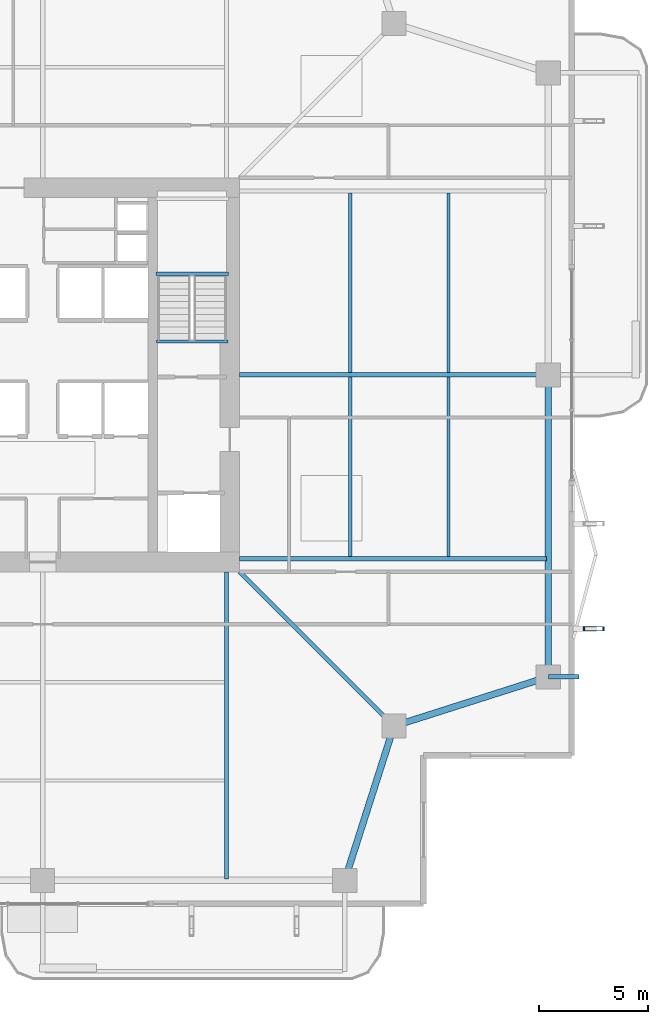
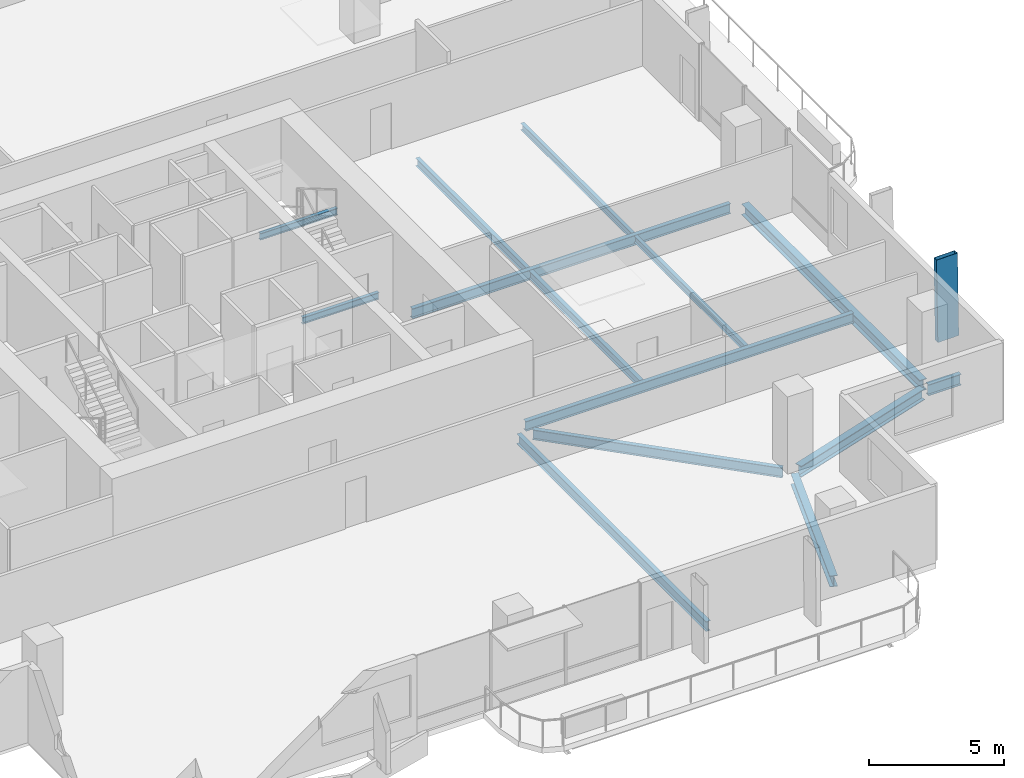
# One storey, part 9 of 25: 14 beams, 1 member.
"""IFC4 building model written with IfcOpenShell, lengths in metres."""

from ifc_helpers import new_model, si_unit, direction, frame, origin, origin_2d, place, context, subcontext, project, spatial, hollow_rectangle, i_section, extrude, material, material_profile, profile_set, type_object, element, save


model = new_model("IFC4")

# Units and contexts
model_context = context("Model", 3, precision=1e-05, world=origin(), true_north=direction((0.0, 1.0)))
body_context = subcontext(model_context, "Body", "Model", "MODEL_VIEW")
ifc_project = project(units=[si_unit("LENGTHUNIT", "METRE"), si_unit("AREAUNIT", "SQUARE_METRE"), si_unit("VOLUMEUNIT", "CUBIC_METRE"), si_unit("PLANEANGLEUNIT", "RADIAN"), si_unit("MASSUNIT", "GRAM", prefix="KILO")], contexts=[model_context])

# Site, building, storey
site_placement = place(None, origin())
site = spatial("IfcSite", under=ifc_project, at=site_placement, CompositionType="ELEMENT")
building_placement = place(site_placement, origin())
building = spatial("IfcBuilding", under=site, at=building_placement, Name="Belovzor Exchange Tower", CompositionType="ELEMENT")
storey_placement = place(building_placement, frame((0.0, 0.0, 175.800048828125)))
storey = spatial("IfcBuildingStorey", under=building, at=storey_placement, Name="L43", CompositionType="ELEMENT", Elevation=175.800048828125)

# Beams
ifc_material_1 = material(Name="Steel S355", Category="steel")
ifc_material_profile_1 = material_profile(ifc_material_1, i_section(OverallWidth=0.199951171875, OverallDepth=0.5, WebThickness=0.01025390625, FlangeThickness=0.01611328125, at=origin_2d()))
ifc_profile_set_1 = profile_set([ifc_material_profile_1], Name="Steel S355")
beam_type_1 = type_object("IfcBeamType", Name="Planted Balcony Cantilever Beam IPE 500", PredefinedType="BEAM", material=ifc_profile_set_1)
beam_1_placement = place(storey_placement, frame((51.89990234375, 15.0, -0.505126953125), z_axis=(1.0, 0.0, 0.0), x_axis=(0.0, 1.0, 0.0)))
element("IfcBeam", 1, at=beam_1_placement, inside=storey, type_object=beam_type_1, Name="BC-500 Planted Balcony Cantilever Beam IPE 500", PredefinedType="BEAM", context=body_context, shape_type="SweptSolid", body=[
    extrude(i_section(OverallWidth=0.199951171875, OverallDepth=0.5, WebThickness=0.01025390625, FlangeThickness=0.01611328125, at=origin_2d()), origin(), (0.0, 0.0, 1.0), 1.400146484375),
])
ifc_material_2 = material(Name="Steel S355", Category="steel")
ifc_material_profile_2 = material_profile(ifc_material_2, i_section(OverallWidth=0.169921875, OverallDepth=0.360107421875, WebThickness=0.008056640625, FlangeThickness=0.0126953125, at=origin_2d()))
ifc_profile_set_2 = profile_set([ifc_material_profile_2], Name="Steel S355")
beam_type_2 = type_object("IfcBeamType", Name="Secondary Infill Floor Joist IPE 360", PredefinedType="BEAM", material=ifc_profile_set_2)
for number, where, z_axis, x_axis, name in (
    (2, (42.84912109375, 20.4951171875, -0.43505859375), (0.0, 1.0, 0.0), (-1.0, 0.0, 0.0), "FJ-360 Secondary Infill Floor Joist IPE 360"),
    (3, (42.84912109375, 28.89501953125, -0.43505859375), (0.0, 1.0, 0.0), (-1.0, 0.0, 0.0), "FJ-360 Secondary Infill Floor Joist IPE 360"),
):
    element("IfcBeam", number, at=place(storey_placement, frame(where, z_axis=z_axis, x_axis=x_axis)), inside=storey, type_object=beam_type_2, Name=name, PredefinedType="BEAM", context=body_context, shape_type="SweptSolid", body=[
        extrude(i_section(OverallWidth=0.169921875, OverallDepth=0.360107421875, WebThickness=0.008056640625, FlangeThickness=0.0126953125, at=origin_2d()), origin(), (0.0, 0.0, 1.0), 8.2099609375),
    ])
ifc_material_3 = material(Name="Steel S355", Category="steel")
ifc_material_profile_3 = material_profile(ifc_material_3, i_section(OverallWidth=0.14990234375, OverallDepth=0.300048828125, WebThickness=0.007080078125, FlangeThickness=0.0107421875, at=origin_2d()))
ifc_profile_set_3 = profile_set([ifc_material_profile_3], Name="Steel S355")
beam_type_3 = type_object("IfcBeamType", Name="Secondary Trim Floor Joist IPE 300", PredefinedType="BEAM", material=ifc_profile_set_3)
beam_2_placement = place(storey_placement, frame((37.280029296875, 33.419921875, 1.52490234375), z_axis=(-1.0, 0.0, 0.0), x_axis=(0.0, -1.0, 0.0)))
element("IfcBeam", 4, at=beam_2_placement, inside=storey, type_object=beam_type_3, Name="FJ-300 Secondary Trim Floor Joist IPE 300", PredefinedType="BEAM", context=body_context, shape_type="SweptSolid", body=[
    extrude(i_section(OverallWidth=0.14990234375, OverallDepth=0.300048828125, WebThickness=0.007080078125, FlangeThickness=0.0107421875, at=origin_2d()), origin(), (0.0, 0.0, 1.0), 3.31005859375),
])
beam_3_placement = place(storey_placement, frame((37.260009765625, 30.320068359375, -0.405029296875), z_axis=(-1.0, 0.0, 0.0), x_axis=(0.0, -1.0, 0.0)))
element("IfcBeam", 5, at=beam_3_placement, inside=storey, type_object=beam_type_3, Name="FJ-300 Secondary Trim Floor Joist IPE 300", PredefinedType="BEAM", context=body_context, shape_type="SweptSolid", body=[
    extrude(i_section(OverallWidth=0.14990234375, OverallDepth=0.300048828125, WebThickness=0.007080078125, FlangeThickness=0.0107421875, at=origin_2d()), origin(), (0.0, 0.0, 1.0), 3.27001953125),
])
for number, where, z_axis, x_axis, name in (
    (6, (47.3369140625, 20.4951171875, -0.405029296875), (0.0, 1.0, 0.0), (-1.0, 0.0, 0.0), "FJ-300 Secondary Trim Floor Joist IPE 300"),
    (7, (47.3369140625, 28.89501953125, -0.405029296875), (0.0, 1.0, 0.0), (-1.0, 0.0, 0.0), "FJ-300 Secondary Trim Floor Joist IPE 300"),
):
    element("IfcBeam", number, at=place(storey_placement, frame(where, z_axis=z_axis, x_axis=x_axis)), inside=storey, type_object=beam_type_3, Name=name, PredefinedType="BEAM", context=body_context, shape_type="SweptSolid", body=[
        extrude(i_section(OverallWidth=0.14990234375, OverallDepth=0.300048828125, WebThickness=0.007080078125, FlangeThickness=0.0107421875, at=origin_2d()), origin(), (0.0, 0.0, 1.0), 8.2099609375),
    ])

# Member
ifc_material_4 = material(Name="Extruded Architectural Terracotta on Steel S355 Carrier", Category="masonry")
ifc_material_profile_4 = material_profile(ifc_material_4, hollow_rectangle(XDim=0.199951171875, YDim=0.89990234375, WallThickness=0.011962890625, at=origin_2d()))
ifc_profile_set_4 = profile_set([ifc_material_profile_4], Name="Extruded Architectural Terracotta on Steel S355 Carrier")
member_type = type_object("IfcMemberType", Name="Sweeping Terracotta Baguette Fin Assembly 1250", PredefinedType="USERDEFINED", material=ifc_profile_set_4)
member_placement = place(storey_placement, frame((54.010986328125, 17.199951171875, -0.255126953125), z_axis=(-0.01549293194, 0.0, 0.999879977327), x_axis=(0.0, -1.0, 0.0)))
element("IfcMember", 8, at=member_placement, inside=storey, type_object=member_type, Name="FIN-TC125 Terracotta Facade Fin L43 E1", ObjectType="FIN", PredefinedType="USERDEFINED", context=body_context, shape_type="SweptSolid", body=[
    extrude(hollow_rectangle(XDim=0.199951171875, YDim=0.89990234375, WallThickness=0.011962890625, at=origin_2d()), origin(), (0.0, 0.0, 1.0), 3.75048828125),
])

# Beams
ifc_material_5 = material(Name="Steel S355", Category="steel")
ifc_material_profile_5 = material_profile(ifc_material_5, i_section(OverallWidth=0.18994140625, OverallDepth=0.449951171875, WebThickness=0.009521484375, FlangeThickness=0.0146484375, at=origin_2d()))
ifc_profile_set_5 = profile_set([ifc_material_profile_5], Name="Steel S355")
beam_type_4 = type_object("IfcBeamType", Name="Zone 2-4 Radial Composite Floor Beam IPE 450", PredefinedType="BEAM", material=ifc_profile_set_5)
beam_4_placement = place(storey_placement, frame((37.199951171875, 19.800048828125, -0.47998046875), z_axis=(0.0, -1.0, 0.0), x_axis=(1.0, 0.0, 0.0)))
element("IfcBeam", 9, at=beam_4_placement, inside=storey, type_object=beam_type_4, Name="FB-450 Zone 2-4 Radial Composite Floor Beam IPE 450", PredefinedType="BEAM", context=body_context, shape_type="SweptSolid", body=[
    extrude(i_section(OverallWidth=0.18994140625, OverallDepth=0.449951171875, WebThickness=0.009521484375, FlangeThickness=0.0146484375, at=origin_2d()), origin(), (0.0, 0.0, 1.0), 14.025146484375),
])
beam_5_placement = place(storey_placement, frame((37.800048828125, 20.39990234375, -0.47998046875), z_axis=(1.0, 0.0, 0.0), x_axis=(0.0, 1.0, 0.0)))
element("IfcBeam", 10, at=beam_5_placement, inside=storey, type_object=beam_type_4, Name="FB-450 Zone 2-4 Radial Composite Floor Beam IPE 450", PredefinedType="BEAM", context=body_context, shape_type="SweptSolid", body=[
    extrude(i_section(OverallWidth=0.18994140625, OverallDepth=0.449951171875, WebThickness=0.009521484375, FlangeThickness=0.0146484375, at=origin_2d()), origin(), (0.0, 0.0, 1.0), 14.02490234375),
])
beam_6_placement = place(storey_placement, frame((37.800048828125, 28.800048828125, -0.47998046875), z_axis=(1.0, 0.0, 0.0), x_axis=(0.0, 1.0, 0.0)))
element("IfcBeam", 11, at=beam_6_placement, inside=storey, type_object=beam_type_4, Name="FB-450 Zone 2-4 Radial Composite Floor Beam IPE 450", PredefinedType="BEAM", context=body_context, shape_type="SweptSolid", body=[
    extrude(i_section(OverallWidth=0.18994140625, OverallDepth=0.449951171875, WebThickness=0.009521484375, FlangeThickness=0.0146484375, at=origin_2d()), origin(), (0.0, 0.0, 1.0), 13.615966796875),
])
beam_7_placement = place(storey_placement, frame((37.800048828125, 19.800048828125, -0.47998046875), z_axis=(0.707094040639, -0.707119521505, 0.0), x_axis=(0.707119521505, 0.707094040639, 0.0)))
element("IfcBeam", 12, at=beam_7_placement, inside=storey, type_object=beam_type_4, Name="FB-450 Zone 2-4 Radial Composite Floor Beam IPE 450", PredefinedType="BEAM", context=body_context, shape_type="SweptSolid", body=[
    extrude(i_section(OverallWidth=0.18994140625, OverallDepth=0.449951171875, WebThickness=0.009521484375, FlangeThickness=0.0146484375, at=origin_2d()), origin(), (0.0, 0.0, 1.0), 9.581298828125),
])
ifc_material_6 = material(Name="Steel S355", Category="steel")
ifc_material_profile_6 = material_profile(ifc_material_6, i_section(OverallWidth=0.300048828125, OverallDepth=0.5, WebThickness=0.014404296875, FlangeThickness=0.028076171875, at=origin_2d()))
ifc_profile_set_6 = profile_set([ifc_material_profile_6], Name="Steel S355")
beam_type_5 = type_object("IfcBeamType", Name="Zone 3 Waist Primary Girder HEB 500", PredefinedType="BEAM", material=ifc_profile_set_6)
for number, where, z_axis, x_axis, name in (
    (13, (42.69189453125, 5.988037109375, -0.505126953125), (0.304044336164, 0.952657882792, 0.0), (-0.952657882792, 0.304044336164, 0.0), "FG-Z3 Zone 3 Waist Primary Girder HEB 500"),
    (14, (45.137939453125, 12.842041015625, -0.505126953125), (0.952671608699, 0.304001325621, 0.0), (-0.304001325621, 0.952671608699, 0.0), "FG-Z3 Zone 3 Waist Primary Girder HEB 500"),
):
    element("IfcBeam", number, at=place(storey_placement, frame(where, z_axis=z_axis, x_axis=x_axis)), inside=storey, type_object=beam_type_5, Name=name, PredefinedType="BEAM", context=body_context, shape_type="SweptSolid", body=[
        extrude(i_section(OverallWidth=0.300048828125, OverallDepth=0.5, WebThickness=0.014404296875, FlangeThickness=0.028076171875, at=origin_2d()), origin(), (0.0, 0.0, 1.0), 6.795654296875),
    ])
beam_8_placement = place(storey_placement, frame((51.89990234375, 15.302978515625, -0.505126953125), z_axis=(0.0, 1.0, 0.0), x_axis=(-1.0, 0.0, 0.0)))
element("IfcBeam", 15, at=beam_8_placement, inside=storey, type_object=beam_type_5, Name="FG-Z3 Zone 3 Waist Primary Girder HEB 500", PredefinedType="BEAM", context=body_context, shape_type="SweptSolid", body=[
    extrude(i_section(OverallWidth=0.300048828125, OverallDepth=0.5, WebThickness=0.014404296875, FlangeThickness=0.028076171875, at=origin_2d()), origin(), (0.0, 0.0, 1.0), 13.195068359375),
])

save(model, "model.ifc")
